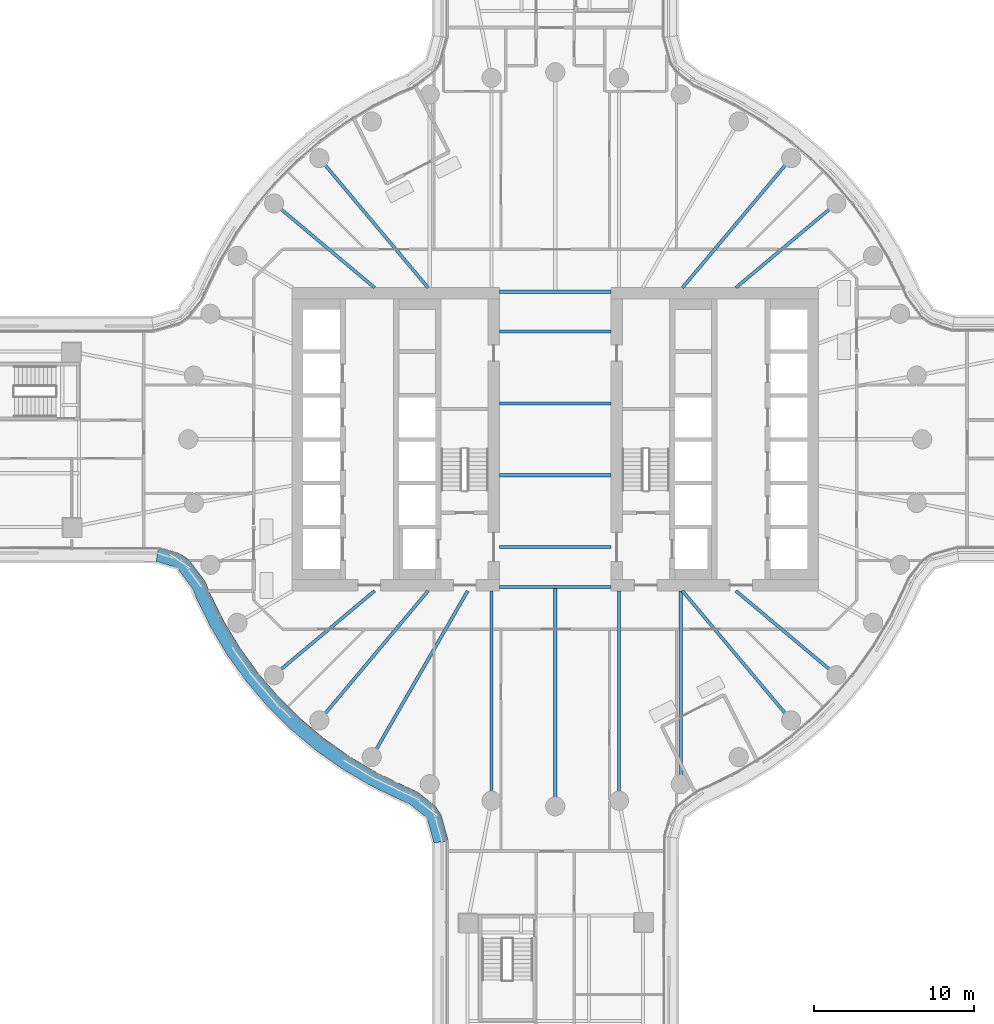
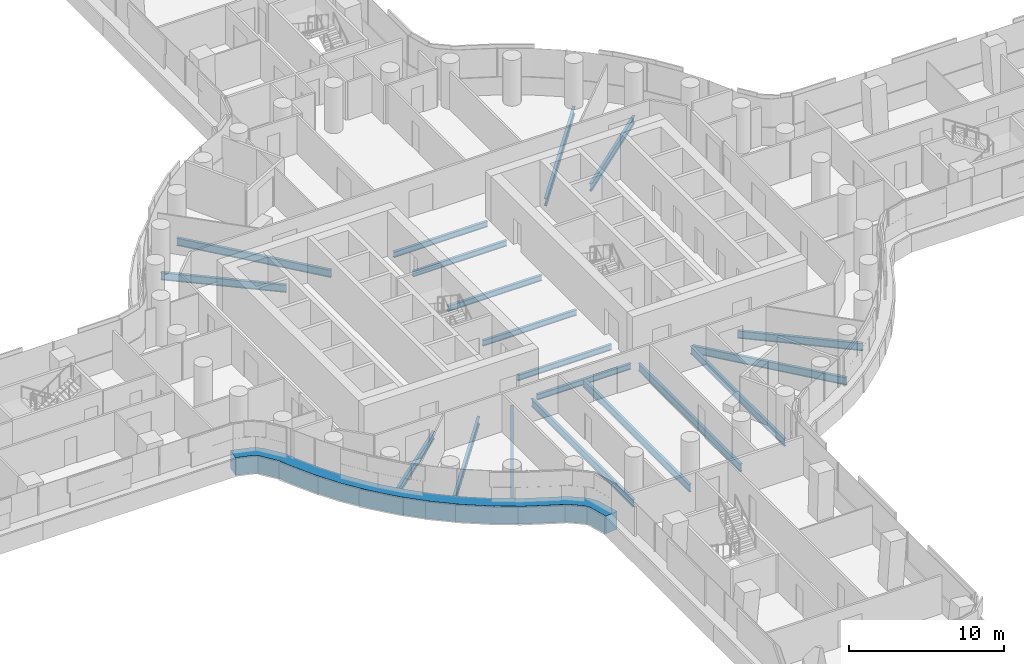
# One storey, part 8 of 32: 19 beams, 1 member, 1 element without a shape of its own.
"""IFC4 building model written with IfcOpenShell, lengths in metres."""

from ifc_helpers import new_model, si_unit, direction, frame, origin, origin_2d, place, context, subcontext, project, spatial, polyline, i_section, outline, extrude, material, layer, layer_set, material_profile, profile_set, type_object, element, aggregate, save


model = new_model("IFC4")

# Units and contexts
model_context = context("Model", 3, precision=1e-05, world=origin(), true_north=direction((0.0, 1.0)))
body_context = subcontext(model_context, "Body", "Model", "MODEL_VIEW")
ifc_project = project(units=[si_unit("LENGTHUNIT", "METRE"), si_unit("AREAUNIT", "SQUARE_METRE"), si_unit("VOLUMEUNIT", "CUBIC_METRE"), si_unit("PLANEANGLEUNIT", "RADIAN"), si_unit("MASSUNIT", "GRAM", prefix="KILO")], contexts=[model_context])

# Site, building, storey
site_placement = place(None, origin())
site = spatial("IfcSite", under=ifc_project, at=site_placement, CompositionType="ELEMENT")
building_placement = place(site_placement, origin())
building = spatial("IfcBuilding", under=site, at=building_placement, Name="Tamarind Cross Interchange Tower", CompositionType="ELEMENT")
storey_placement = place(building_placement, frame((0.0, 0.0, 34.0)))
storey = spatial("IfcBuildingStorey", under=building, at=storey_placement, Name="L06", CompositionType="ELEMENT", Elevation=34.0)

# Beams
ifc_material_1 = material(Name="Steel Q355B", Category="steel")
ifc_material_profile_1 = material_profile(ifc_material_1, i_section(OverallWidth=0.198974609375, OverallDepth=0.446044921875, WebThickness=0.008056640625, FlangeThickness=0.011962890625, FilletRadius=0.012939453125, at=origin_2d()), Name="HN 446x199x8x12")
ifc_profile_set_1 = profile_set([ifc_material_profile_1], Name="Steel Q355B")
beam_type_1 = type_object("IfcBeamType", Name="Composite beam HN 446x199x8x12 Q355B", PredefinedType="BEAM", material=ifc_profile_set_1)
for number, where, z_axis, x_axis, name in (
    (1, (-3.5, -2.25, -0.363037109375), (1.0, 0.0, 0.0), (0.0, 1.0, 0.0), "Beam G-2.25"),
    (2, (-3.5, -6.75, -0.363037109375), (1.0, 0.0, 0.0), (0.0, 1.0, 0.0), "Beam G-6.75"),
    (3, (-3.5, -9.25, -0.363037109375), (1.0, 0.0, 0.0), (0.0, 1.0, 0.0), "Beam G-9.25"),
    (4, (-3.5, 2.25, -0.363037109375), (1.0, 0.0, 0.0), (0.0, 1.0, 0.0), "Beam G2.25"),
    (5, (-3.5, 6.75, -0.363037109375), (1.0, 0.0, 0.0), (0.0, 1.0, 0.0), "Beam G6.75"),
    (6, (-3.5, 9.25, -0.363037109375), (1.0, 0.0, 0.0), (0.0, 1.0, 0.0), "Beam G9.25"),
):
    element("IfcBeam", number, at=place(storey_placement, frame(where, z_axis=z_axis, x_axis=x_axis)), inside=storey, type_object=beam_type_1, Name=name, PredefinedType="BEAM", context=body_context, shape_type="SweptSolid", body=[
        extrude(i_section(OverallWidth=0.198974609375, OverallDepth=0.446044921875, WebThickness=0.008056640625, FlangeThickness=0.011962890625, FilletRadius=0.012939453125, at=origin_2d()), origin(), (0.0, 0.0, 1.0), 7.0),
    ])
ifc_material_profile_2 = material_profile(ifc_material_1, i_section(OverallWidth=0.198974609375, OverallDepth=0.595947265625, WebThickness=0.010009765625, FlangeThickness=0.014892578125, FilletRadius=0.012939453125, at=origin_2d()), Name="HN 596x199x10x15")
ifc_profile_set_2 = profile_set([ifc_material_profile_2], Name="Steel Q355B")
beam_type_2 = type_object("IfcBeamType", Name="Composite beam HN 596x199x10x15 Q355B", PredefinedType="BEAM", material=ifc_profile_set_2)
beam_1_placement = place(storey_placement, frame((17.619140625, 14.7841796875, -0.43798828125), z_axis=(-0.766040580814, -0.642792212574, 0.0), x_axis=(0.642792212574, -0.766040580814, 0.0)))
element("IfcBeam", 7, at=beam_1_placement, inside=storey, type_object=beam_type_2, Name="Beam HH04", PredefinedType="BEAM", context=body_context, shape_type="SweptSolid", body=[
    extrude(i_section(OverallWidth=0.198974609375, OverallDepth=0.595947265625, WebThickness=0.010009765625, FlangeThickness=0.014892578125, FilletRadius=0.012939453125, at=origin_2d()), origin(), (0.0, 0.0, 1.0), 8.220703125),
])
for number, where, z_axis, x_axis, name in (
    (8, (14.7841796875, 17.619140625, -0.43798828125), (-0.642786293979, -0.766045547127, 0.0), (0.766045547127, -0.642786293979, 0.0), "Beam HH05"),
    (9, (-14.7841796875, 17.619140625, -0.43798828125), (0.642786293979, -0.766045547127, 0.0), (0.766045547127, 0.642786293979, 0.0), "Beam HH13"),
):
    element("IfcBeam", number, at=place(storey_placement, frame(where, z_axis=z_axis, x_axis=x_axis)), inside=storey, type_object=beam_type_2, Name=name, PredefinedType="BEAM", context=body_context, shape_type="SweptSolid", body=[
        extrude(i_section(OverallWidth=0.198974609375, OverallDepth=0.595947265625, WebThickness=0.010009765625, FlangeThickness=0.014892578125, FilletRadius=0.012939453125, at=origin_2d()), origin(), (0.0, 0.0, 1.0), 10.598876953125),
    ])
for number, where, z_axis, x_axis, name in (
    (10, (-17.619140625, 14.7841796875, -0.43798828125), (0.766040580814, -0.642792212574, 0.0), (0.642792212574, 0.766040580814, 0.0), "Beam HH14"),
    (11, (-17.619140625, -14.7841796875, -0.43798828125), (0.766040580814, 0.642792212574, 0.0), (-0.642792212574, 0.766040580814, 0.0), "Beam HH22"),
):
    element("IfcBeam", number, at=place(storey_placement, frame(where, z_axis=z_axis, x_axis=x_axis)), inside=storey, type_object=beam_type_2, Name=name, PredefinedType="BEAM", context=body_context, shape_type="SweptSolid", body=[
        extrude(i_section(OverallWidth=0.198974609375, OverallDepth=0.595947265625, WebThickness=0.010009765625, FlangeThickness=0.014892578125, FilletRadius=0.012939453125, at=origin_2d()), origin(), (0.0, 0.0, 1.0), 8.220703125),
    ])
beam_2_placement = place(storey_placement, frame((-14.7841796875, -17.619140625, -0.43798828125), z_axis=(0.642786293979, 0.766045547127, 0.0), x_axis=(-0.766045547127, 0.642786293979, 0.0)))
element("IfcBeam", 12, at=beam_2_placement, inside=storey, type_object=beam_type_2, Name="Beam HH23", PredefinedType="BEAM", context=body_context, shape_type="SweptSolid", body=[
    extrude(i_section(OverallWidth=0.198974609375, OverallDepth=0.595947265625, WebThickness=0.010009765625, FlangeThickness=0.014892578125, FilletRadius=0.012939453125, at=origin_2d()), origin(), (0.0, 0.0, 1.0), 10.598876953125),
])
beam_3_placement = place(storey_placement, frame((-11.5, -19.918701171875, -0.43798828125), z_axis=(0.499993565836, 0.866029118519, 0.0), x_axis=(-0.866029118519, 0.499993565836, 0.0)))
element("IfcBeam", 13, at=beam_3_placement, inside=storey, type_object=beam_type_2, Name="Beam HH24", PredefinedType="BEAM", context=body_context, shape_type="SweptSolid", body=[
    extrude(i_section(OverallWidth=0.198974609375, OverallDepth=0.595947265625, WebThickness=0.010009765625, FlangeThickness=0.014892578125, FilletRadius=0.012939453125, at=origin_2d()), origin(), (0.0, 0.0, 1.0), 12.030517578125),
])
beam_4_placement = place(storey_placement, frame((-3.993896484375, -22.650634765625, -0.43798828125), z_axis=(0.0, 1.0, 0.0), x_axis=(-1.0, 0.0, 0.0)))
element("IfcBeam", 14, at=beam_4_placement, inside=storey, type_object=beam_type_2, Name="Beam HH26", PredefinedType="BEAM", context=body_context, shape_type="SweptSolid", body=[
    extrude(i_section(OverallWidth=0.198974609375, OverallDepth=0.595947265625, WebThickness=0.010009765625, FlangeThickness=0.014892578125, FilletRadius=0.012939453125, at=origin_2d()), origin(), (0.0, 0.0, 1.0), 13.150634765625),
])
beam_5_placement = place(storey_placement, frame((0.0, -23.0, -0.43798828125), z_axis=(0.0, 1.0, 0.0), x_axis=(-1.0, 0.0, 0.0)))
element("IfcBeam", 15, at=beam_5_placement, inside=storey, type_object=beam_type_2, Name="Beam HH27", PredefinedType="BEAM", context=body_context, shape_type="SweptSolid", body=[
    extrude(i_section(OverallWidth=0.198974609375, OverallDepth=0.595947265625, WebThickness=0.010009765625, FlangeThickness=0.014892578125, FilletRadius=0.012939453125, at=origin_2d()), origin(), (0.0, 0.0, 1.0), 13.75),
])
beam_6_placement = place(storey_placement, frame((3.993896484375, -22.650634765625, -0.43798828125), z_axis=(0.0, 1.0, 0.0), x_axis=(-1.0, 0.0, 0.0)))
element("IfcBeam", 16, at=beam_6_placement, inside=storey, type_object=beam_type_2, Name="Beam HH28", PredefinedType="BEAM", context=body_context, shape_type="SweptSolid", body=[
    extrude(i_section(OverallWidth=0.198974609375, OverallDepth=0.595947265625, WebThickness=0.010009765625, FlangeThickness=0.014892578125, FilletRadius=0.012939453125, at=origin_2d()), origin(), (0.0, 0.0, 1.0), 13.150634765625),
])
beam_7_placement = place(storey_placement, frame((7.866455078125, -21.613037109375, -0.43798828125), z_axis=(0.0, 1.0, 0.0), x_axis=(-1.0, 0.0, 0.0)))
element("IfcBeam", 17, at=beam_7_placement, inside=storey, type_object=beam_type_2, Name="Beam HH29", PredefinedType="BEAM", context=body_context, shape_type="SweptSolid", body=[
    extrude(i_section(OverallWidth=0.198974609375, OverallDepth=0.595947265625, WebThickness=0.010009765625, FlangeThickness=0.014892578125, FilletRadius=0.012939453125, at=origin_2d()), origin(), (0.0, 0.0, 1.0), 12.113037109375),
])
beam_8_placement = place(storey_placement, frame((14.7841796875, -17.619140625, -0.43798828125), z_axis=(-0.642786293979, 0.766045547127, 0.0), x_axis=(-0.766045547127, -0.642786293979, 0.0)))
element("IfcBeam", 18, at=beam_8_placement, inside=storey, type_object=beam_type_2, Name="Beam HH31", PredefinedType="BEAM", context=body_context, shape_type="SweptSolid", body=[
    extrude(i_section(OverallWidth=0.198974609375, OverallDepth=0.595947265625, WebThickness=0.010009765625, FlangeThickness=0.014892578125, FilletRadius=0.012939453125, at=origin_2d()), origin(), (0.0, 0.0, 1.0), 10.598876953125),
])
beam_9_placement = place(storey_placement, frame((17.619140625, -14.7841796875, -0.43798828125), z_axis=(-0.766040580814, 0.642792212574, 0.0), x_axis=(-0.642792212574, -0.766040580814, 0.0)))
element("IfcBeam", 19, at=beam_9_placement, inside=storey, type_object=beam_type_2, Name="Beam HH32", PredefinedType="BEAM", context=body_context, shape_type="SweptSolid", body=[
    extrude(i_section(OverallWidth=0.198974609375, OverallDepth=0.595947265625, WebThickness=0.010009765625, FlangeThickness=0.014892578125, FilletRadius=0.012939453125, at=origin_2d()), origin(), (0.0, 0.0, 1.0), 8.220703125),
])

# Curtain wall, member
ifc_material_2 = material(Name="Aluminium 6063-T6", Category="aluminium")
ifc_layer = layer(ifc_material_2, 0.14990234375)
ifc_layer_set = layer_set([ifc_layer], Name="Aluminium 6063-T6")
curtain_wall_type = type_object("IfcCurtainWallType", Name="Winter garden and crown curtain wall", PredefinedType="NOTDEFINED", material=ifc_layer_set)
curtain_wall_placement = place(storey_placement, origin())
curtain_wall = element("IfcCurtainWall", 20, at=curtain_wall_placement, inside=storey, type_object=curtain_wall_type, Name="CWS-L06-03", PredefinedType="NOTDEFINED")
ifc_material_3 = material(Name="Aluminium and insulated spandrel panel", Category="aluminium")
member_type = type_object("IfcMemberType", Name="Floor-edge blade transom", PredefinedType="USERDEFINED", material=ifc_material_3)
member_placement = place(storey_placement, origin())
member = element("IfcMember", 21, at=member_placement, type_object=member_type, Name="CWT-L06-03", ObjectType="TRANSOM", PredefinedType="USERDEFINED", context=body_context, shape_type="SweptSolid", body=[
    extrude(outline(polyline([(-24.86962890625, -6.744384765625), (-23.52294921875, -7.16064453125), (-22.96826171875, -7.53955078125), (-21.94580078125, -8.900634765625), (-21.6591796875, -9.61083984375), (-20.791015625, -11.367431640625), (-19.78125, -13.045654296875), (-18.636474609375, -14.634521484375), (-17.3642578125, -16.12353515625), (-15.973388671875, -17.50244140625), (-14.4736328125, -18.76171875), (-12.874755859375, -19.892822265625), (-11.188232421875, -20.88818359375), (-9.417236328125, -21.744384765625), (-8.63427734375, -22.099365234375), (-7.537109375, -22.9716796875), (-7.158203125, -23.5263671875), (-6.699951171875, -25.167724609375), (-7.60009765625, -25.291015625), (-7.985107421875, -23.911376953125), (-8.20361328125, -23.591552734375), (-9.107421875, -22.873046875), (-9.798828125, -22.5595703125), (-11.613525390625, -21.68212890625), (-13.3642578125, -20.64892578125), (-15.023681640625, -19.474853515625), (-16.580810546875, -18.167724609375), (-18.0244140625, -16.736572265625), (-19.344970703125, -15.19091796875), (-20.533203125, -13.54150390625), (-21.581298828125, -11.799560546875), (-22.481201171875, -9.97900390625), (-22.736328125, -9.346923828125), (-23.5986328125, -8.19873046875), (-23.91845703125, -7.980224609375), (-25.00634765625, -7.64404296875), (-24.86962890625, -6.744384765625)])), origin(), (0.0, 0.0, 1.0), 1.39990234375),
])
aggregate(curtain_wall, [member])

save(model, "model.ifc")
